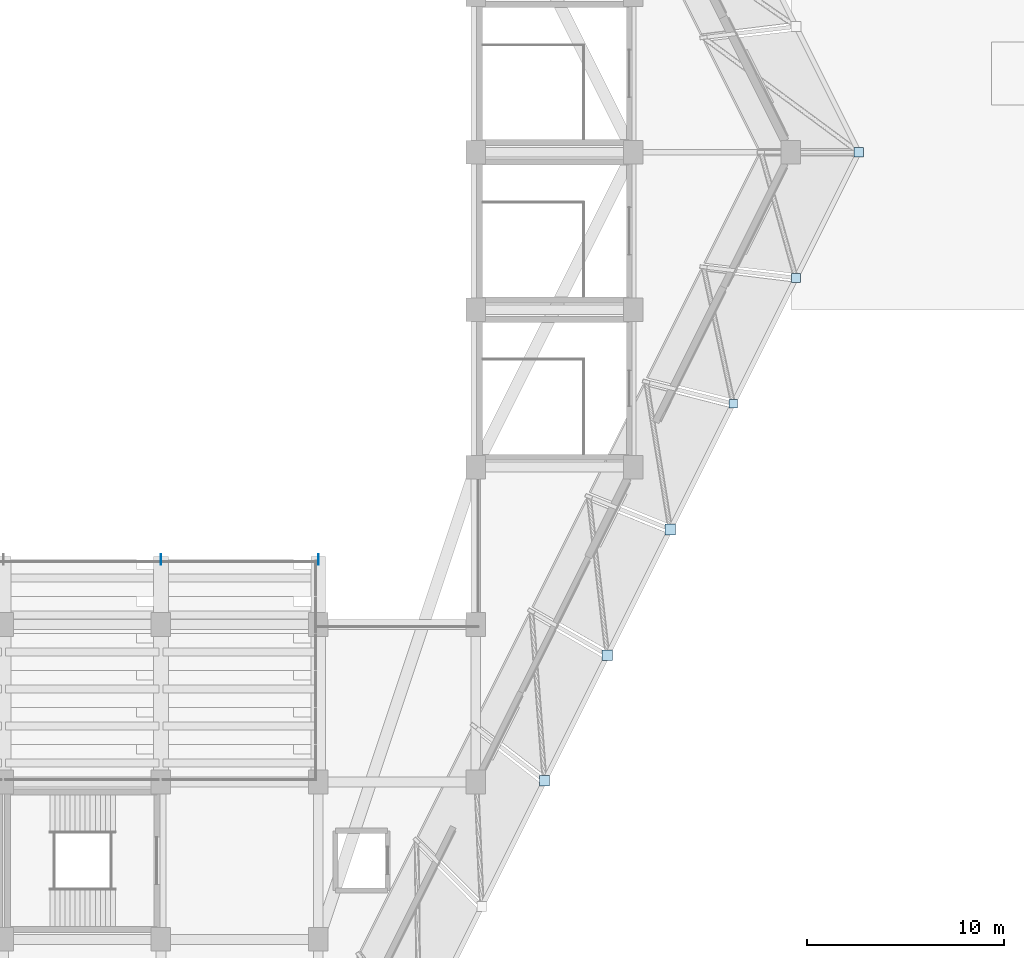
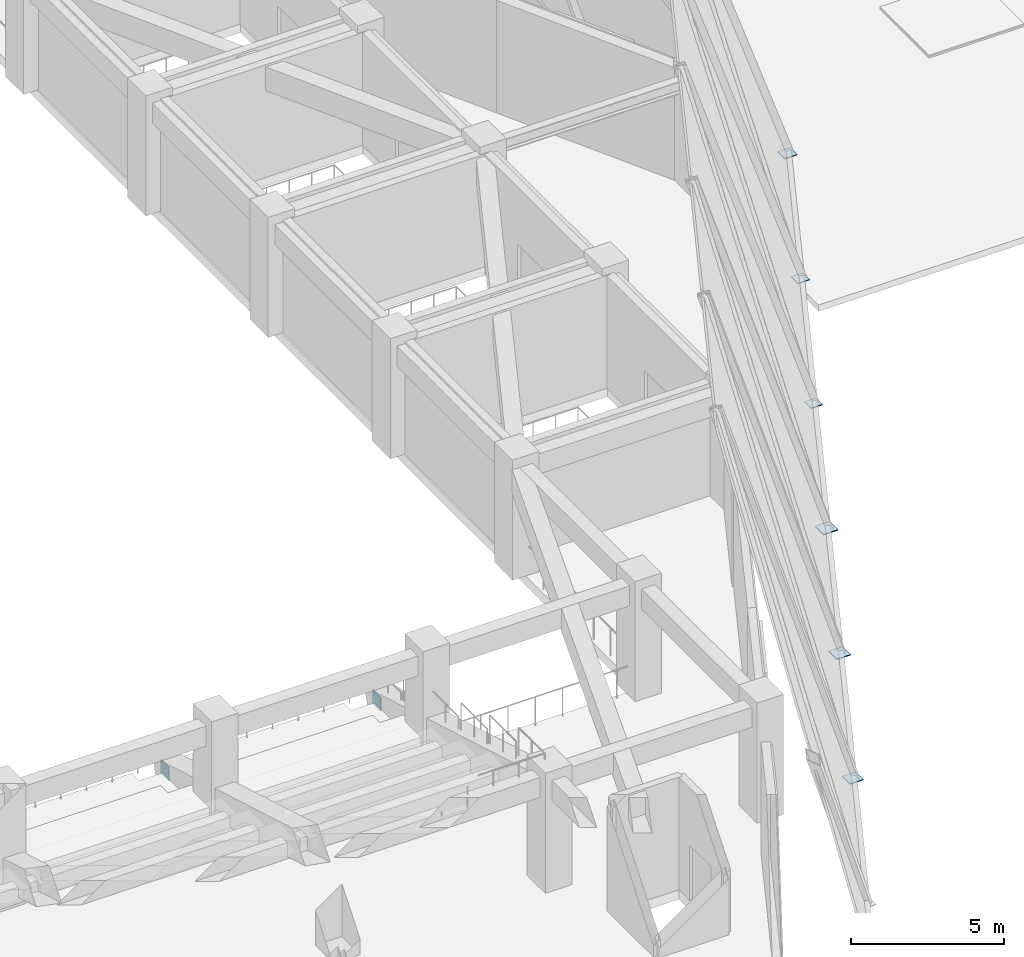
# One storey, part 10 of 24: 8 plates.
"""IFC4 building model written with IfcOpenShell, lengths in metres."""

from ifc_helpers import new_model, si_unit, direction, frame, origin, origin_2d, place, context, subcontext, project, spatial, rectangle, extrude, material, layer, layer_set, type_object, element, save


model = new_model("IFC4")

# Units and contexts
model_context = context("Model", 3, precision=1e-05, world=origin(), true_north=direction((0.0, 1.0)))
body_context = subcontext(model_context, "Body", "Model", "MODEL_VIEW")
ifc_project = project(units=[si_unit("LENGTHUNIT", "METRE"), si_unit("AREAUNIT", "SQUARE_METRE"), si_unit("VOLUMEUNIT", "CUBIC_METRE"), si_unit("PLANEANGLEUNIT", "RADIAN"), si_unit("MASSUNIT", "GRAM", prefix="KILO")], contexts=[model_context])

# Site, building, storey
site_placement = place(None, origin())
site = spatial("IfcSite", under=ifc_project, at=site_placement, CompositionType="ELEMENT")
building_placement = place(site_placement, origin())
building = spatial("IfcBuilding", under=site, at=building_placement, Name="Tazarka Park Arena", CompositionType="ELEMENT")
storey_placement = place(building_placement, frame((0.0, 0.0, 15.0)))
storey = spatial("IfcBuildingStorey", under=building, at=storey_placement, Name="L03", CompositionType="ELEMENT", Elevation=15.0)

# Plates
ifc_material_1 = material(Name="Steel S460", Category="steel")
ifc_layer_1 = layer(ifc_material_1, 0.031982421875, Name="Steel S460")
ifc_layer_set_1 = layer_set([ifc_layer_1], Name="Steel S460")
plate_type_1 = type_object("IfcPlateType", Name="PLT-PL-12", PredefinedType="USERDEFINED", material=ifc_layer_set_1)
for number, where, z_axis, x_axis, name in (
    (1, (104.0, 43.300048828125, 0.060546875), (0.0, 0.0, 1.0), (1.0, 0.0, 0.0), "RKP-S-13-2"),
    (2, (112.0, 43.300048828125, 0.060546875), (0.0, 0.0, 1.0), (1.0, 0.0, 0.0), "RKP-S-14-2"),
):
    element("IfcPlate", number, at=place(storey_placement, frame(where, z_axis=z_axis, x_axis=x_axis)), inside=storey, type_object=plate_type_1, Name=name, ObjectType="STIFFENER", PredefinedType="USERDEFINED", context=body_context, shape_type="SweptSolid", body=[
        extrude(rectangle(XDim=0.031982421875, YDim=0.5400390625, at=origin_2d()), origin(), (0.0, 0.0, 1.0), 0.5400390625),
    ])
ifc_material_2 = material(Name="Steel S460", Category="steel")
ifc_layer_2 = layer(ifc_material_2, 0.028076171875, Name="Steel S460")
ifc_layer_set_2 = layer_set([ifc_layer_2], Name="Steel S460")
plate_type_2 = type_object("IfcPlateType", Name="PLT-PL-13", PredefinedType="USERDEFINED", material=ifc_layer_set_2)
plate_1_placement = place(storey_placement, frame((133.078369140625, 51.22509765625, -0.01416015625), z_axis=(0.0, 0.0, 1.0), x_axis=(1.0, 0.0, 0.0)))
element("IfcPlate", 3, at=plate_1_placement, inside=storey, type_object=plate_type_2, Name="GMP-W-14", ObjectType="STIFFENER", PredefinedType="USERDEFINED", context=body_context, shape_type="SweptSolid", body=[
    extrude(rectangle(XDim=0.43994140625, YDim=0.43994140625, at=origin_2d()), origin(), (0.0, 0.0, 1.0), 0.028076171875),
])
ifc_material_3 = material(Name="Steel S460", Category="steel")
ifc_layer_3 = layer(ifc_material_3, 0.029052734375, Name="Steel S460")
ifc_layer_set_3 = layer_set([ifc_layer_3], Name="Steel S460")
plate_type_3 = type_object("IfcPlateType", Name="PLT-PL-16", PredefinedType="USERDEFINED", material=ifc_layer_set_3)
plate_2_placement = place(storey_placement, frame((136.272216796875, 57.612548828125, -0.0146484375), z_axis=(0.0, 0.0, 1.0), x_axis=(1.0, 0.0, 0.0)))
element("IfcPlate", 4, at=plate_2_placement, inside=storey, type_object=plate_type_3, Name="GMP-W-15", ObjectType="STIFFENER", PredefinedType="USERDEFINED", context=body_context, shape_type="SweptSolid", body=[
    extrude(rectangle(XDim=0.449951171875, YDim=0.449951171875, at=origin_2d()), origin(), (0.0, 0.0, 1.0), 0.029052734375),
])
ifc_material_4 = material(Name="Steel S460", Category="steel")
ifc_layer_4 = layer(ifc_material_4, 0.031005859375, Name="Steel S460")
ifc_layer_set_4 = layer_set([ifc_layer_4], Name="Steel S460")
plate_type_4 = type_object("IfcPlateType", Name="PLT-PL-17", PredefinedType="USERDEFINED", material=ifc_layer_set_4)
plate_3_placement = place(storey_placement, frame((139.4658203125, 64.0, -0.015625), z_axis=(0.0, 0.0, 1.0), x_axis=(1.0, 0.0, 0.0)))
element("IfcPlate", 5, at=plate_3_placement, inside=storey, type_object=plate_type_4, Name="GMP-W-16", ObjectType="STIFFENER", PredefinedType="USERDEFINED", context=body_context, shape_type="SweptSolid", body=[
    extrude(rectangle(XDim=0.469970703125, YDim=0.469970703125, at=origin_2d()), origin(), (0.0, 0.0, 1.0), 0.031005859375),
])
ifc_material_5 = material(Name="Steel S460", Category="steel")
ifc_layer_5 = layer(ifc_material_5, 0.034912109375, Name="Steel S460")
ifc_layer_set_5 = layer_set([ifc_layer_5], Name="Steel S460")
plate_type_5 = type_object("IfcPlateType", Name="PLT-PL-19", PredefinedType="USERDEFINED", material=ifc_layer_set_5)
plate_4_placement = place(storey_placement, frame((123.497314453125, 32.0625, -0.017578125), z_axis=(0.0, 0.0, 1.0), x_axis=(1.0, 0.0, 0.0)))
element("IfcPlate", 6, at=plate_4_placement, inside=storey, type_object=plate_type_5, Name="GMP-W-11", ObjectType="STIFFENER", PredefinedType="USERDEFINED", context=body_context, shape_type="SweptSolid", body=[
    extrude(rectangle(XDim=0.510009765625, YDim=0.510009765625, at=origin_2d()), origin(), (0.0, 0.0, 1.0), 0.034912109375),
])
ifc_material_6 = material(Name="Steel S460", Category="steel")
ifc_layer_6 = layer(ifc_material_6, 0.037109375, Name="Steel S460")
ifc_layer_set_6 = layer_set([ifc_layer_6], Name="Steel S460")
plate_type_6 = type_object("IfcPlateType", Name="PLT-PL-20", PredefinedType="USERDEFINED", material=ifc_layer_set_6)
plate_5_placement = place(storey_placement, frame((126.69091796875, 38.449951171875, -0.0185546875), z_axis=(0.0, 0.0, 1.0), x_axis=(1.0, 0.0, 0.0)))
element("IfcPlate", 7, at=plate_5_placement, inside=storey, type_object=plate_type_6, Name="GMP-W-12", ObjectType="STIFFENER", PredefinedType="USERDEFINED", context=body_context, shape_type="SweptSolid", body=[
    extrude(rectangle(XDim=0.530029296875, YDim=0.530029296875, at=origin_2d()), origin(), (0.0, 0.0, 1.0), 0.037109375),
])
ifc_material_7 = material(Name="Steel S460", Category="steel")
ifc_layer_7 = layer(ifc_material_7, 0.0390625, Name="Steel S460")
ifc_layer_set_7 = layer_set([ifc_layer_7], Name="Steel S460")
plate_type_7 = type_object("IfcPlateType", Name="PLT-PL-21", PredefinedType="USERDEFINED", material=ifc_layer_set_7)
plate_6_placement = place(storey_placement, frame((129.884521484375, 44.83740234375, -0.01953125), z_axis=(0.0, 0.0, 1.0), x_axis=(1.0, 0.0, 0.0)))
element("IfcPlate", 8, at=plate_6_placement, inside=storey, type_object=plate_type_7, Name="GMP-W-13", ObjectType="STIFFENER", PredefinedType="USERDEFINED", context=body_context, shape_type="SweptSolid", body=[
    extrude(rectangle(XDim=0.550048828125, YDim=0.550048828125, at=origin_2d()), origin(), (0.0, 0.0, 1.0), 0.0390625),
])

save(model, "model.ifc")
